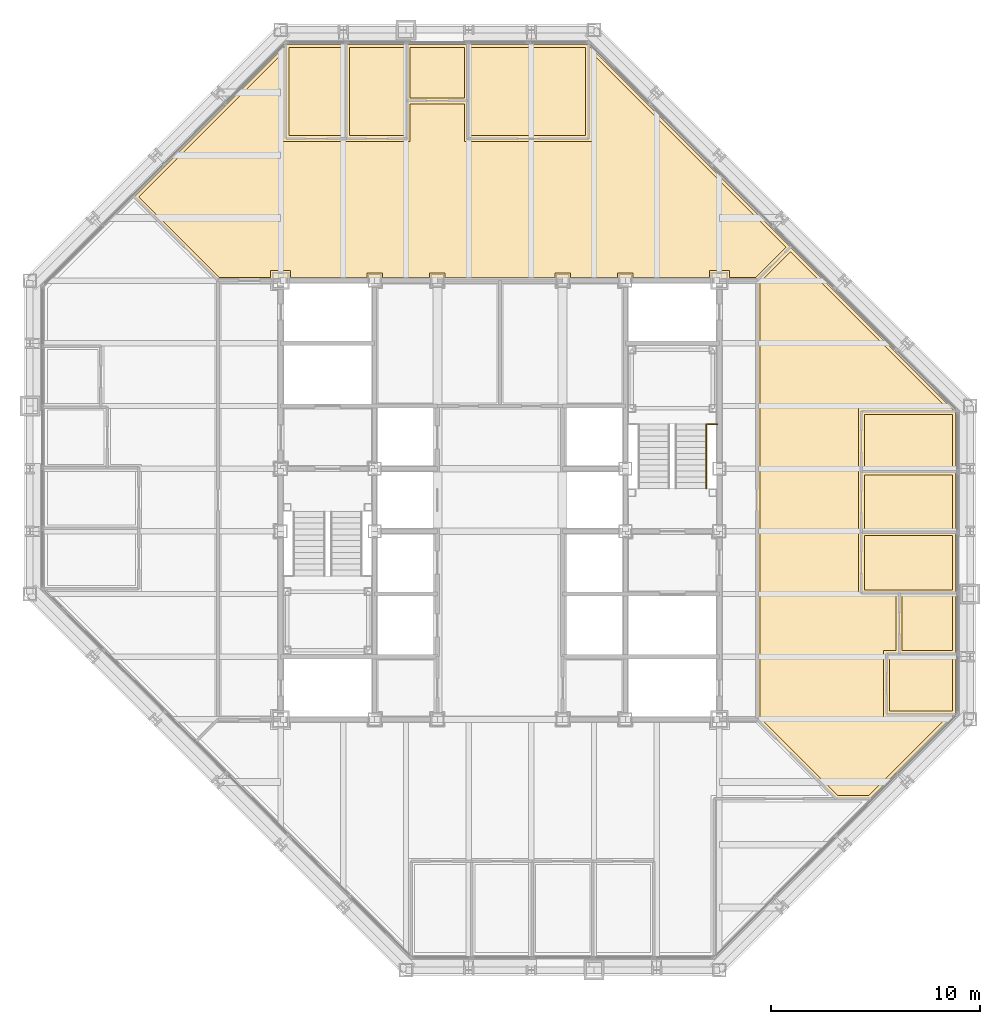
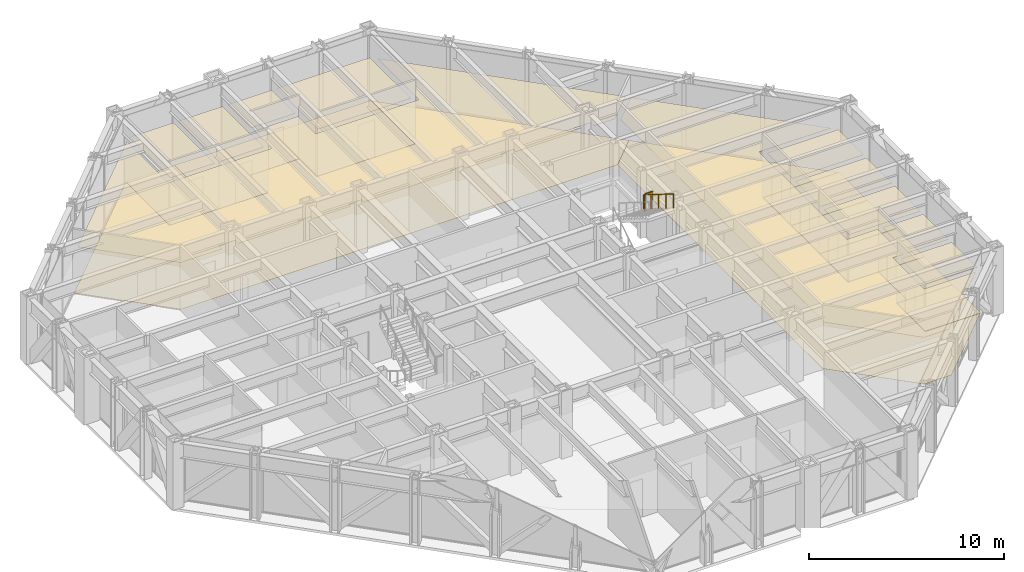
# One storey, part 15 of 15: 22 coverings, 2 railings.
"""IFC4 building model written with IfcOpenShell, lengths in metres."""

from ifc_helpers import new_model, si_unit, direction, frame, origin, origin_2d, place, context, subcontext, project, spatial, polyline, circle, outline, extrude, material, layer, layer_set, type_object, element, save


model = new_model("IFC4")

# Units and contexts
model_context = context("Model", 3, precision=1e-05, world=origin(), true_north=direction((0.0, 1.0)))
body_context = subcontext(model_context, "Body", "Model", "MODEL_VIEW")
ifc_project = project(units=[si_unit("LENGTHUNIT", "METRE"), si_unit("AREAUNIT", "SQUARE_METRE"), si_unit("VOLUMEUNIT", "CUBIC_METRE"), si_unit("PLANEANGLEUNIT", "RADIAN"), si_unit("MASSUNIT", "GRAM", prefix="KILO")], contexts=[model_context])

# Site, building, storey
site_placement = place(None, origin())
site = spatial("IfcSite", under=ifc_project, at=site_placement, CompositionType="ELEMENT")
building_placement = place(site_placement, origin())
building = spatial("IfcBuilding", under=site, at=building_placement, Name="Chuquiago Exchange Tower", CompositionType="ELEMENT")
storey_placement = place(building_placement, frame((0.0, 0.0, 184.5)))
storey = spatial("IfcBuildingStorey", under=building, at=storey_placement, Name="L40", CompositionType="ELEMENT", Elevation=184.5)

# Coverings
ifc_material_1 = material(Name="Mineral fibre tile, 600 x 600, on pale metal grid", Category="mineral fibre")
ifc_layer_1 = layer(ifc_material_1, 0.02001953125)
ifc_layer_set_1 = layer_set([ifc_layer_1], Name="CL1 suspended tile ceiling 20")
covering_type_1 = type_object("IfcCoveringType", Name="CL1 suspended tile ceiling 20", PredefinedType="CEILING", material=ifc_layer_set_1)
covering_1_placement = place(storey_placement, frame((0.0, 0.0, 2.800048828125)))
element("IfcCovering", 1, at=covering_1_placement, inside=storey, type_object=covering_type_1, Name="Ceiling Pantry", PredefinedType="CEILING", context=body_context, shape_type="SweptSolid", body=[
    extrude(outline(polyline([(41.14990234375, 12.3984375), (41.14990234375, 14.9990234375), (44.14990234375, 14.9990234375), (44.14990234375, 12.3984375), (41.14990234375, 12.3984375)])), origin(), (0.0, 0.0, 1.0), 0.02001953125),
])
covering_2_placement = place(storey_placement, frame((0.0, 0.0, 2.800048828125)))
element("IfcCovering", 2, at=covering_2_placement, inside=storey, type_object=covering_type_1, Name="Ceiling Focus room", PredefinedType="CEILING", context=body_context, shape_type="SweptSolid", body=[
    extrude(outline(polyline([(41.75, 15.299072265625), (41.75, 17.899658203125), (44.14990234375, 17.899658203125), (44.14990234375, 15.299072265625), (41.75, 15.299072265625)])), origin(), (0.0, 0.0, 1.0), 0.02001953125),
])
covering_3_placement = place(storey_placement, frame((0.0, 0.0, 2.800048828125)))
element("IfcCovering", 3, at=covering_3_placement, inside=storey, type_object=covering_type_1, Name="Ceiling Office", PredefinedType="CEILING", context=body_context, shape_type="SweptSolid", body=[
    extrude(outline(polyline([(39.949951171875, 18.19970703125), (39.949951171875, 20.80029296875), (44.14990234375, 20.80029296875), (44.14990234375, 18.19970703125), (39.949951171875, 18.19970703125)])), origin(), (0.0, 0.0, 1.0), 0.02001953125),
])
covering_4_placement = place(storey_placement, frame((0.0, 0.0, 2.800048828125)))
element("IfcCovering", 4, at=covering_4_placement, inside=storey, type_object=covering_type_1, Name="Ceiling Meeting room", PredefinedType="CEILING", context=body_context, shape_type="SweptSolid", body=[
    extrude(outline(polyline([(39.949951171875, 21.100341796875), (39.949951171875, 23.700927734375), (44.14990234375, 23.700927734375), (44.14990234375, 21.100341796875), (39.949951171875, 21.100341796875)])), origin(), (0.0, 0.0, 1.0), 0.02001953125),
])
covering_5_placement = place(storey_placement, frame((0.0, 0.0, 2.800048828125)))
element("IfcCovering", 5, at=covering_5_placement, inside=storey, type_object=covering_type_1, Name="Ceiling Meeting room", PredefinedType="CEILING", context=body_context, shape_type="SweptSolid", body=[
    extrude(outline(polyline([(44.14990234375, 24.0009765625), (39.949951171875, 24.0009765625), (39.949951171875, 26.6015625), (44.14990234375, 26.6015625), (44.14990234375, 24.0009765625)])), origin(), (0.0, 0.0, 1.0), 0.02001953125),
])
covering_6_placement = place(storey_placement, frame((0.0, 0.0, 2.800048828125)))
element("IfcCovering", 6, at=covering_6_placement, inside=storey, type_object=covering_type_1, Name="Ceiling Office", PredefinedType="CEILING", context=body_context, shape_type="SweptSolid", body=[
    extrude(outline(polyline([(14.9990234375, 44.14990234375), (14.9990234375, 39.949951171875), (12.3984375, 39.949951171875), (12.3984375, 44.14990234375), (14.9990234375, 44.14990234375)])), origin(), (0.0, 0.0, 1.0), 0.02001953125),
])
covering_7_placement = place(storey_placement, frame((0.0, 0.0, 2.800048828125)))
element("IfcCovering", 7, at=covering_7_placement, inside=storey, type_object=covering_type_1, Name="Ceiling Office", PredefinedType="CEILING", context=body_context, shape_type="SweptSolid", body=[
    extrude(outline(polyline([(17.899658203125, 39.949951171875), (15.299072265625, 39.949951171875), (15.299072265625, 44.14990234375), (17.899658203125, 44.14990234375), (17.899658203125, 39.949951171875)])), origin(), (0.0, 0.0, 1.0), 0.02001953125),
])
covering_8_placement = place(storey_placement, frame((0.0, 0.0, 2.800048828125)))
element("IfcCovering", 8, at=covering_8_placement, inside=storey, type_object=covering_type_1, Name="Ceiling Focus room", PredefinedType="CEILING", context=body_context, shape_type="SweptSolid", body=[
    extrude(outline(polyline([(20.80029296875, 41.75), (18.19970703125, 41.75), (18.19970703125, 44.14990234375), (20.80029296875, 44.14990234375), (20.80029296875, 41.75)])), origin(), (0.0, 0.0, 1.0), 0.02001953125),
])
covering_9_placement = place(storey_placement, frame((0.0, 0.0, 2.800048828125)))
element("IfcCovering", 9, at=covering_9_placement, inside=storey, type_object=covering_type_1, Name="Ceiling Meeting room", PredefinedType="CEILING", context=body_context, shape_type="SweptSolid", body=[
    extrude(outline(polyline([(26.6015625, 39.949951171875), (21.100341796875, 39.949951171875), (21.100341796875, 44.14990234375), (26.6015625, 44.14990234375), (26.6015625, 39.949951171875)])), origin(), (0.0, 0.0, 1.0), 0.02001953125),
])
covering_10_placement = place(storey_placement, frame((0.0, 0.0, 2.800048828125)))
element("IfcCovering", 10, at=covering_10_placement, inside=storey, type_object=covering_type_1, Name="Ceiling Open office north", PredefinedType="CEILING", context=body_context, shape_type="SweptSolid", body=[
    extrude(outline(polyline([(12.098388671875, 39.64990234375), (18.19970703125, 39.64990234375), (18.19970703125, 41.449951171875), (20.80029296875, 41.449951171875), (20.80029296875, 39.64990234375), (26.901611328125, 39.64990234375), (26.901611328125, 43.896484375), (36.192626953125, 34.60546875), (34.7373046875, 33.14990234375), (33.47509765625, 33.14990234375), (33.47509765625, 33.47509765625), (32.52490234375, 33.47509765625), (32.52490234375, 33.14990234375), (28.875, 33.14990234375), (28.875, 33.375), (28.125, 33.375), (28.125, 33.14990234375), (25.875, 33.14990234375), (25.875, 33.375), (25.125, 33.375), (25.125, 33.14990234375), (19.875, 33.14990234375), (19.875, 33.375), (19.125, 33.375), (19.125, 33.14990234375), (16.875, 33.14990234375), (16.875, 33.375), (16.125, 33.375), (16.125, 33.14990234375), (12.47509765625, 33.14990234375), (12.47509765625, 33.47509765625), (11.52490234375, 33.47509765625), (11.52490234375, 33.14990234375), (9.0625, 33.14990234375), (5.20751953125, 37.00537109375), (12.098388671875, 43.896484375), (12.098388671875, 39.64990234375)])), origin(), (0.0, 0.0, 1.0), 0.02001953125),
])
covering_11_placement = place(storey_placement, frame((0.0, 0.0, 2.800048828125)))
element("IfcCovering", 11, at=covering_11_placement, inside=storey, type_object=covering_type_1, Name="Ceiling Open office east", PredefinedType="CEILING", context=body_context, shape_type="SweptSolid", body=[
    extrude(outline(polyline([(40.14794921875, 8.35009765625), (38.662841796875, 8.35009765625), (34.949951171875, 12.0625), (34.949951171875, 32.9375), (36.405517578125, 34.392578125), (43.896484375, 26.901611328125), (39.64990234375, 26.901611328125), (39.64990234375, 17.899658203125), (41.449951171875, 17.899658203125), (41.449951171875, 15.299072265625), (40.85009765625, 15.299072265625), (40.85009765625, 12.098388671875), (43.896484375, 12.098388671875), (40.14794921875, 8.35009765625)])), origin(), (0.0, 0.0, 1.0), 0.02001953125),
])
ifc_material_2 = material(Name="Carpet tile, 500 x 500, on the floor slab", Category="textile")
ifc_layer_2 = layer(ifc_material_2, 0.010009765625)
ifc_layer_set_2 = layer_set([ifc_layer_2], Name="FL1 carpet tile 10")
covering_type_2 = type_object("IfcCoveringType", Name="FL1 carpet tile 10", PredefinedType="FLOORING", material=ifc_layer_set_2)
covering_12_placement = place(storey_placement, origin())
element("IfcCovering", 12, at=covering_12_placement, inside=storey, type_object=covering_type_2, Name="Floor finish Focus room", PredefinedType="FLOORING", context=body_context, shape_type="SweptSolid", body=[
    extrude(outline(polyline([(44.300048828125, 15.149169921875), (41.60009765625, 15.149169921875), (41.60009765625, 18.0498046875), (44.300048828125, 18.0498046875), (44.300048828125, 15.149169921875)])), origin(), (0.0, 0.0, 1.0), 0.010009765625),
])
covering_13_placement = place(storey_placement, origin())
element("IfcCovering", 13, at=covering_13_placement, inside=storey, type_object=covering_type_2, Name="Floor finish Office", PredefinedType="FLOORING", context=body_context, shape_type="SweptSolid", body=[
    extrude(outline(polyline([(44.300048828125, 18.0498046875), (39.800048828125, 18.0498046875), (39.800048828125, 20.9501953125), (44.300048828125, 20.9501953125), (44.300048828125, 18.0498046875)])), origin(), (0.0, 0.0, 1.0), 0.010009765625),
])
covering_14_placement = place(storey_placement, origin())
element("IfcCovering", 14, at=covering_14_placement, inside=storey, type_object=covering_type_2, Name="Floor finish Meeting room", PredefinedType="FLOORING", context=body_context, shape_type="SweptSolid", body=[
    extrude(outline(polyline([(44.300048828125, 20.9501953125), (39.800048828125, 20.9501953125), (39.800048828125, 23.850830078125), (44.300048828125, 23.850830078125), (44.300048828125, 20.9501953125)])), origin(), (0.0, 0.0, 1.0), 0.010009765625),
])
covering_15_placement = place(storey_placement, origin())
element("IfcCovering", 15, at=covering_15_placement, inside=storey, type_object=covering_type_2, Name="Floor finish Meeting room", PredefinedType="FLOORING", context=body_context, shape_type="SweptSolid", body=[
    extrude(outline(polyline([(44.300048828125, 26.710205078125), (44.300048828125, 23.850830078125), (39.800048828125, 23.850830078125), (39.800048828125, 26.75146484375), (44.258544921875, 26.75146484375), (44.300048828125, 26.710205078125)])), origin(), (0.0, 0.0, 1.0), 0.010009765625),
])
covering_16_placement = place(storey_placement, origin())
element("IfcCovering", 16, at=covering_16_placement, inside=storey, type_object=covering_type_2, Name="Floor finish Office", PredefinedType="FLOORING", context=body_context, shape_type="SweptSolid", body=[
    extrude(outline(polyline([(12.289794921875, 44.300048828125), (15.149169921875, 44.300048828125), (15.149169921875, 39.800048828125), (12.24853515625, 39.800048828125), (12.24853515625, 44.258544921875), (12.289794921875, 44.300048828125)])), origin(), (0.0, 0.0, 1.0), 0.010009765625),
])
covering_17_placement = place(storey_placement, origin())
element("IfcCovering", 17, at=covering_17_placement, inside=storey, type_object=covering_type_2, Name="Floor finish Office", PredefinedType="FLOORING", context=body_context, shape_type="SweptSolid", body=[
    extrude(outline(polyline([(18.0498046875, 44.300048828125), (18.0498046875, 39.800048828125), (15.149169921875, 39.800048828125), (15.149169921875, 44.300048828125), (18.0498046875, 44.300048828125)])), origin(), (0.0, 0.0, 1.0), 0.010009765625),
])
covering_18_placement = place(storey_placement, origin())
element("IfcCovering", 18, at=covering_18_placement, inside=storey, type_object=covering_type_2, Name="Floor finish Focus room", PredefinedType="FLOORING", context=body_context, shape_type="SweptSolid", body=[
    extrude(outline(polyline([(20.9501953125, 44.300048828125), (20.9501953125, 41.60009765625), (18.0498046875, 41.60009765625), (18.0498046875, 44.300048828125), (20.9501953125, 44.300048828125)])), origin(), (0.0, 0.0, 1.0), 0.010009765625),
])
covering_19_placement = place(storey_placement, origin())
element("IfcCovering", 19, at=covering_19_placement, inside=storey, type_object=covering_type_2, Name="Floor finish Meeting room", PredefinedType="FLOORING", context=body_context, shape_type="SweptSolid", body=[
    extrude(outline(polyline([(26.710205078125, 44.300048828125), (26.75146484375, 44.258544921875), (26.75146484375, 39.800048828125), (20.9501953125, 39.800048828125), (20.9501953125, 44.300048828125), (26.710205078125, 44.300048828125)])), origin(), (0.0, 0.0, 1.0), 0.010009765625),
])
covering_20_placement = place(storey_placement, origin())
element("IfcCovering", 20, at=covering_20_placement, inside=storey, type_object=covering_type_2, Name="Floor finish Open office north", PredefinedType="FLOORING", context=body_context, shape_type="SweptSolid", body=[
    extrude(outline(polyline([(12.24853515625, 44.258544921875), (12.24853515625, 39.800048828125), (18.0498046875, 39.800048828125), (18.0498046875, 41.60009765625), (20.9501953125, 41.60009765625), (20.9501953125, 39.800048828125), (26.75146484375, 39.800048828125), (26.75146484375, 44.258544921875), (36.40478515625, 34.60546875), (34.799560546875, 33.0), (9.00048828125, 33.0), (4.995361328125, 37.00537109375), (12.289794921875, 44.300048828125), (12.24853515625, 44.258544921875)])), origin(), (0.0, 0.0, 1.0), 0.010009765625),
])
covering_21_placement = place(storey_placement, origin())
element("IfcCovering", 21, at=covering_21_placement, inside=storey, type_object=covering_type_2, Name="Floor finish Open office east", PredefinedType="FLOORING", context=body_context, shape_type="SweptSolid", body=[
    extrude(outline(polyline([(44.258544921875, 26.75146484375), (39.800048828125, 26.75146484375), (39.800048828125, 18.0498046875), (41.60009765625, 18.0498046875), (41.60009765625, 15.149169921875), (41.0, 15.149169921875), (41.0, 12.24853515625), (44.258544921875, 12.24853515625), (44.300048828125, 12.289794921875), (40.210205078125, 8.199951171875), (38.6005859375, 8.199951171875), (34.800048828125, 12.00048828125), (34.800048828125, 32.99951171875), (36.405517578125, 34.604736328125), (44.258544921875, 26.75146484375)])), origin(), (0.0, 0.0, 1.0), 0.010009765625),
])
ifc_material_3 = material(Name="Porcelain floor tile, 600 x 600, on adhesive bed", Category="ceramic")
ifc_layer_3 = layer(ifc_material_3, 0.014892578125)
ifc_layer_set_3 = layer_set([ifc_layer_3], Name="FL2 porcelain tile 15")
covering_type_3 = type_object("IfcCoveringType", Name="FL2 porcelain tile 15", PredefinedType="FLOORING", material=ifc_layer_set_3)
covering_22_placement = place(storey_placement, origin())
element("IfcCovering", 22, at=covering_22_placement, inside=storey, type_object=covering_type_3, Name="Floor finish Pantry", PredefinedType="FLOORING", context=body_context, shape_type="SweptSolid", body=[
    extrude(outline(polyline([(44.300048828125, 12.289794921875), (44.258544921875, 12.24853515625), (41.0, 12.24853515625), (41.0, 15.149169921875), (44.300048828125, 15.149169921875), (44.300048828125, 12.289794921875)])), origin(), (0.0, 0.0, 1.0), 0.014892578125),
])

# Railings
ifc_material_4 = material(Name="Pale metal guard with safety glass infill", Category="glass")
railing_type_1 = type_object("IfcRailingType", Name="GR1 guard 1100", PredefinedType="GUARDRAIL", material=ifc_material_4)
railing_1_placement = place(storey_placement, frame((32.445068359375, 26.1298828125, 2.10009765625)))
element("IfcRailing", 23, at=railing_1_placement, inside=storey, type_object=railing_type_1, Name="Guard ST2 L40 landing 2", PredefinedType="GUARDRAIL", context=body_context, shape_type="SweptSolid", body=[
    extrude(circle(Radius=0.02392578125, at=origin_2d()), frame((0.0, 0.0, 1.076171875), z_axis=(1.0, 0.0, 0.0), x_axis=(0.0, 1.0, 0.0)), (0.0, 0.0, 1.0), 0.454833984375),
    extrude(circle(Radius=0.02099609375, at=origin_2d()), origin(), (0.0, 0.0, 1.0), 1.052001953125),
    extrude(circle(Radius=0.02099609375, at=origin_2d()), frame((0.454833984375, 0.0, 0.0)), (0.0, 0.0, 1.0), 1.052001953125),
])
ifc_material_5 = material(Name="Pale metal handrail", Category="steel")
railing_type_2 = type_object("IfcRailingType", Name="HR1 handrail 900", PredefinedType="HANDRAIL", material=ifc_material_5)
railing_2_placement = place(storey_placement, frame((32.364990234375, 26.1298828125, 2.27490234375)))
element("IfcRailing", 24, at=railing_2_placement, inside=storey, type_object=railing_type_2, Name="Handrail ST2 L40 flight 2", PredefinedType="HANDRAIL", context=body_context, shape_type="SweptSolid", body=[
    extrude(circle(Radius=0.02392578125, at=origin_2d()), frame((0.0, 0.0, 0.8759765625), z_axis=(0.0, -0.847979421464, 0.530029150871), x_axis=(1.0, 0.0, 0.0)), (0.0, 0.0, 1.0), 3.632080078125),
    extrude(circle(Radius=0.02099609375, at=origin_2d()), origin(), (0.0, 0.0, 1.0), 0.851806640625),
    extrude(circle(Radius=0.02099609375, at=origin_2d()), frame((0.0, -0.77001953125, 0.481201171875)), (0.0, 0.0, 1.0), 0.851806640625),
    extrude(circle(Radius=0.02099609375, at=origin_2d()), frame((0.0, -1.5400390625, 0.96240234375)), (0.0, 0.0, 1.0), 0.851806640625),
    extrude(circle(Radius=0.02099609375, at=origin_2d()), frame((0.0, -2.309814453125, 1.44384765625)), (0.0, 0.0, 1.0), 0.851806640625),
    extrude(circle(Radius=0.02099609375, at=origin_2d()), frame((0.0, -3.079833984375, 1.925048828125)), (0.0, 0.0, 1.0), 0.851806640625),
])

save(model, "model.ifc")
